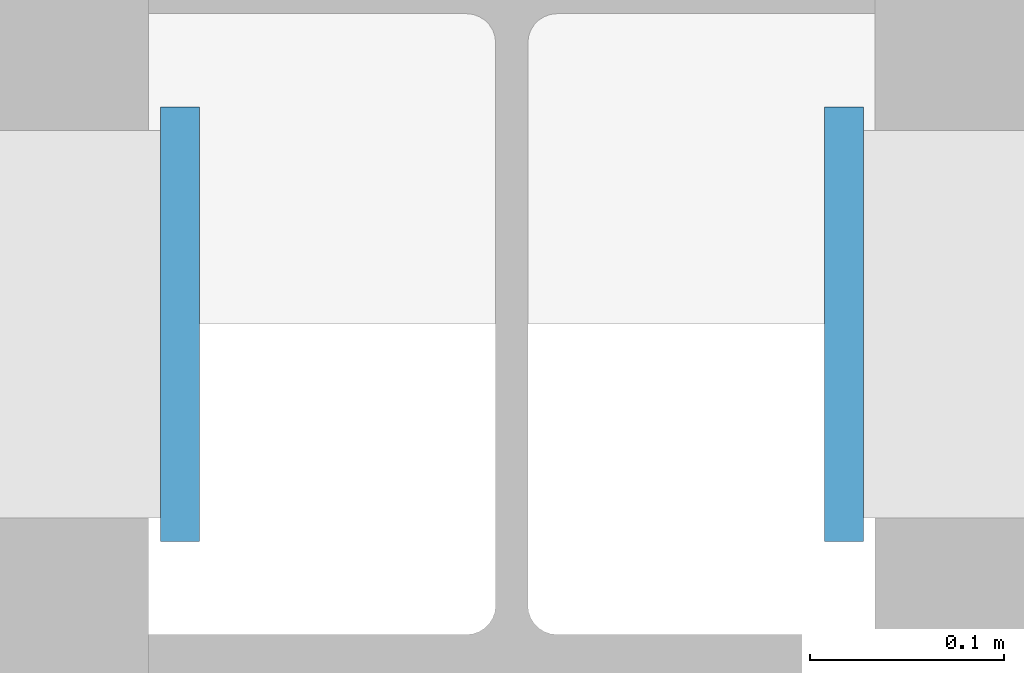
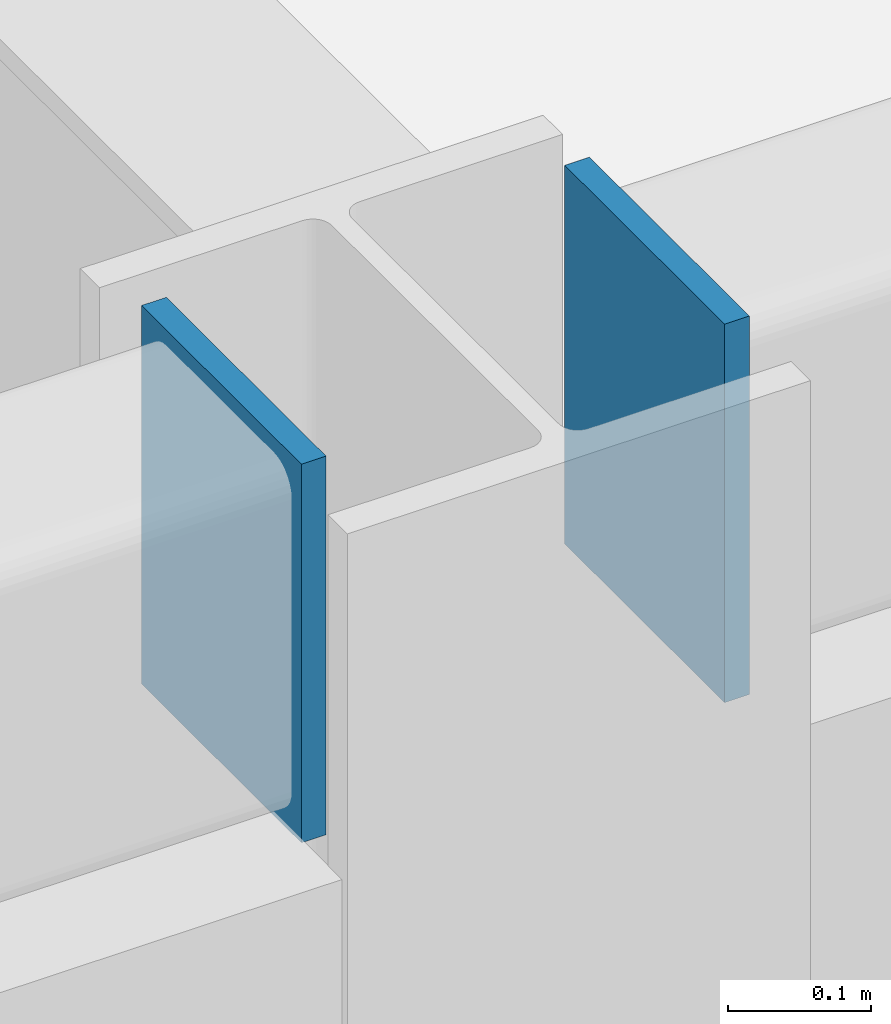
# One storey, part 65 of 96: 2 discrete accessories.
"""IFC4 building model written with IfcOpenShell, lengths in metres."""

from ifc_helpers import new_model, si_unit, direction, frame, origin, origin_2d, place, context, subcontext, project, spatial, rectangle, extrude, material, layer, layer_set, type_object, element, save


model = new_model("IFC4")

# Units and contexts
model_context = context("Model", 3, precision=1e-05, world=origin(), true_north=direction((0.0, 1.0)))
body_context = subcontext(model_context, "Body", "Model", "MODEL_VIEW")
ifc_project = project(units=[si_unit("LENGTHUNIT", "METRE"), si_unit("AREAUNIT", "SQUARE_METRE"), si_unit("VOLUMEUNIT", "CUBIC_METRE"), si_unit("PLANEANGLEUNIT", "RADIAN"), si_unit("MASSUNIT", "GRAM", prefix="KILO")], contexts=[model_context])

# Site, building, storey
site_placement = place(None, origin())
site = spatial("IfcSite", under=ifc_project, at=site_placement, CompositionType="ELEMENT")
building_placement = place(site_placement, origin())
building = spatial("IfcBuilding", under=site, at=building_placement, Name="Kranzveld Transit Interchange", CompositionType="ELEMENT")
storey_placement = place(building_placement, frame((0.0, 0.0, 9.52001953125)))
storey = spatial("IfcBuildingStorey", under=building, at=storey_placement, Name="L02", CompositionType="ELEMENT", Elevation=9.52001953125)

# Discrete accessories
ifc_material = material(Name="Steel S355JR", Category="steel")
ifc_layer = layer(ifc_material, 0.02001953125)
ifc_layer_set = layer_set([ifc_layer], Name="Steel S355JR")
discrete_accessory_type = type_object("IfcDiscreteAccessoryType", Name="Hollow Section End Cap Bracket 20 S355JR", PredefinedType="BRACKET", material=ifc_layer_set)
for number, where, z_axis, x_axis, name in (
    (1, (25.018798828125, 48.0, 3.419921875), (1.0, 0.0, 0.0), (0.0, 1.0, 0.0), "Hollow Section End Cap SP-RHS300-2"),
    (2, (25.38134765625, 48.0, 3.419921875), (-1.0, 0.0, 0.0), (0.0, -1.0, 0.0), "Hollow Section End Cap SP-RHS300-1"),
):
    element("IfcDiscreteAccessory", number, at=place(storey_placement, frame(where, z_axis=z_axis, x_axis=x_axis)), inside=storey, type_object=discrete_accessory_type, Name=name, PredefinedType="BRACKET", context=body_context, shape_type="SweptSolid", body=[
        extrude(rectangle(XDim=0.22412109375, YDim=0.323974609375, at=origin_2d()), origin(), (0.0, 0.0, 1.0), 0.02001953125),
    ])

save(model, "model.ifc")
